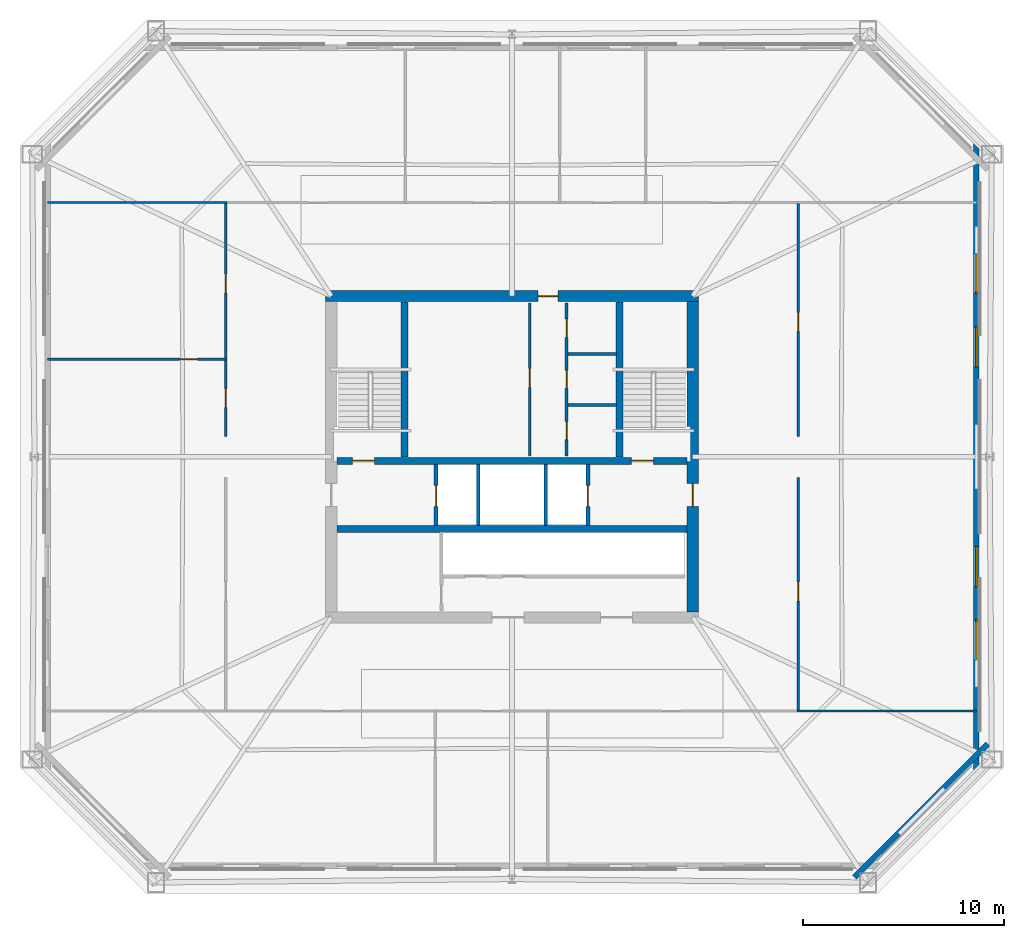
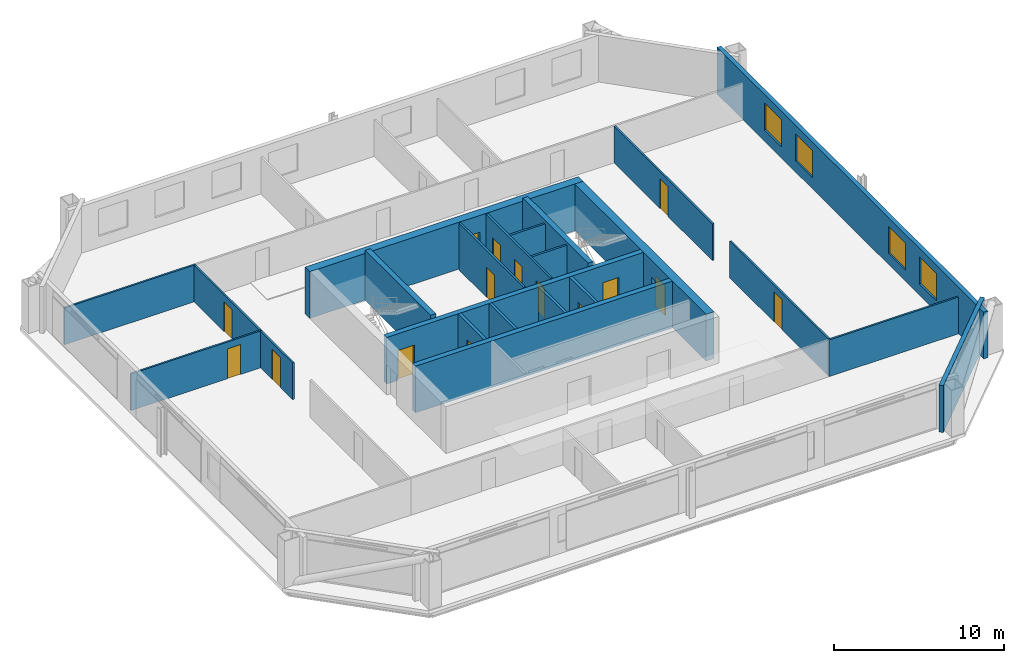
# One storey, part 3 of 6: 22 walls, 15 doors, 4 windows, 19 openings.
"""IFC4 building model written with IfcOpenShell, lengths in metres."""

from ifc_helpers import new_model, si_unit, direction, frame, frame_2d, origin, place, context, subcontext, project, spatial, rectangle, extrude, material, layer, layer_set, type_object, element, fill, save


model = new_model("IFC4")

# Units and contexts
model_context = context("Model", 3, precision=1e-05, world=origin(), true_north=direction((0.0, 1.0)))
body_context = subcontext(model_context, "Body", "Model", "MODEL_VIEW")
ifc_project = project(units=[si_unit("LENGTHUNIT", "METRE"), si_unit("AREAUNIT", "SQUARE_METRE"), si_unit("VOLUMEUNIT", "CUBIC_METRE"), si_unit("PLANEANGLEUNIT", "RADIAN"), si_unit("MASSUNIT", "GRAM", prefix="KILO")], contexts=[model_context])

# Site, building, storey
site_placement = place(None, origin())
site = spatial("IfcSite", under=ifc_project, at=site_placement, CompositionType="ELEMENT")
building_placement = place(site_placement, origin())
building = spatial("IfcBuilding", under=site, at=building_placement, Name="Caelvoria Tower", CompositionType="ELEMENT")
storey_placement = place(building_placement, frame((0.0, 0.0, 152.800048828125)))
storey = spatial("IfcBuildingStorey", under=building, at=storey_placement, Name="L40", CompositionType="ELEMENT", Elevation=152.800048828125)

# Wall, openings, doors
ifc_material_1 = material(Name="Concrete C50/60", Category="concrete")
ifc_layer_1 = layer(ifc_material_1, 0.35009765625, Name="Concrete C50/60")
ifc_layer_set_1 = layer_set([ifc_layer_1], Name="Core Internal Shear Wall 350 - Concrete C50/60")
wall_type_1 = type_object("IfcWallType", Name="Core Internal Shear Wall 350", PredefinedType="SHEAR", material=ifc_layer_set_1)
wall_1_placement = place(storey_placement, frame((37.27490234375, 31.800048828125, 0.0), z_axis=(0.0, 0.0, 1.0), x_axis=(1.0, 0.0, 0.0)))
wall_1 = element("IfcWall", 1, at=wall_1_placement, inside=storey, type_object=wall_type_1, Name="Core Shear Wall L40 M1", PredefinedType="SHEAR", context=body_context, shape_type="SweptSolid", body=[
    extrude(rectangle(XDim=17.4501953125, YDim=0.35009765625, at=frame_2d((8.72509765625, 0.0))), origin(), (0.0, 0.0, 1.0), 3.35986328125),
])
opening_1_placement = place(wall_1_placement, frame((0.77490234375, 0.0, 0.0)))
opening_1 = element("IfcOpeningElement", 2, at=opening_1_placement, cuts=wall_1, Name="Opening ID-01", PredefinedType="OPENING", context=body_context, shape_type="SweptSolid", body=[
    extrude(rectangle(XDim=1.10009765625, YDim=2.14990234375, at=frame_2d((0.550048828125, 1.074951171875))), frame((0.0, 0.18505859375, 0.0), z_axis=(0.0, -1.0, 0.0), x_axis=(1.0, 0.0, 0.0)), (0.0, 0.0, 1.0), 0.3701171875),
])
opening_2_placement = place(wall_1_placement, frame((14.675048828125, 0.0, 0.0)))
opening_2 = element("IfcOpeningElement", 3, at=opening_2_placement, cuts=wall_1, Name="Opening ID-01", PredefinedType="OPENING", context=body_context, shape_type="SweptSolid", body=[
    extrude(rectangle(XDim=1.10009765625, YDim=2.14990234375, at=frame_2d((0.550048828125, 1.074951171875))), frame((0.0, 0.18505859375, 0.0), z_axis=(0.0, -1.0, 0.0), x_axis=(1.0, 0.0, 0.0)), (0.0, 0.0, 1.0), 0.3701171875),
])
ifc_material_2 = material(Name="Painted Hollow Steel Fire Door", Category="steel")
door_type_1 = type_object("IfcDoorType", Name="Fire Door FD90S 1100x2150", OperationType="NOTDEFINED", PredefinedType="DOOR", material=ifc_material_2)
door_1_placement = place(opening_1_placement, origin())
door_1 = element("IfcDoor", 4, at=door_1_placement, inside=storey, type_object=door_type_1, Name="Core Door DR-L40-ST1", OperationType="SINGLE_SWING_LEFT", OverallHeight=2.14990234375, OverallWidth=1.10009765625, PredefinedType="DOOR", context=body_context, shape_type="SweptSolid", body=[
    extrude(rectangle(XDim=1.10009765625, YDim=2.14990234375, at=frame_2d((0.550048828125, 1.074951171875))), frame((0.0, 0.02490234375, 0.0), z_axis=(0.0, -1.0, 0.0), x_axis=(1.0, 0.0, 0.0)), (0.0, 0.0, 1.0), 0.050048828125),
])
fill(opening_1, door_1)
door_2_placement = place(opening_2_placement, origin())
door_2 = element("IfcDoor", 5, at=door_2_placement, inside=storey, type_object=door_type_1, Name="Core Door DR-L40-ST2", OperationType="SINGLE_SWING_RIGHT", OverallHeight=2.14990234375, OverallWidth=1.10009765625, PredefinedType="DOOR", context=body_context, shape_type="SweptSolid", body=[
    extrude(rectangle(XDim=1.10009765625, YDim=2.14990234375, at=frame_2d((0.550048828125, 1.074951171875))), frame((0.0, 0.02490234375, 0.0), z_axis=(0.0, -1.0, 0.0), x_axis=(1.0, 0.0, 0.0)), (0.0, 0.0, 1.0), 0.050048828125),
])
fill(opening_2, door_2)

# Walls
wall_2_placement = place(storey_placement, frame((37.27490234375, 28.39990234375, 0.0), z_axis=(0.0, 0.0, 1.0), x_axis=(1.0, 0.0, 0.0)))
element("IfcWall", 6, at=wall_2_placement, inside=storey, type_object=wall_type_1, Name="Core Shear Wall L40 M2", PredefinedType="SHEAR", context=body_context, shape_type="SweptSolid", body=[
    extrude(rectangle(XDim=17.4501953125, YDim=0.35009765625, at=frame_2d((8.72509765625, 0.0))), origin(), (0.0, 0.0, 1.0), 3.35986328125),
])
for number, where, z_axis, x_axis, name in (
    (7, (40.64990234375, 32.0, 0.0), (0.0, 0.0, 1.0), (0.0, 1.0, 0.0), "Interior Partition IW-L40-ST1E"),
    (8, (51.35009765625, 32.0, 0.0), (0.0, 0.0, 1.0), (0.0, 1.0, 0.0), "Interior Partition IW-L40-ST2W"),
):
    element("IfcWall", number, at=place(storey_placement, frame(where, z_axis=z_axis, x_axis=x_axis)), inside=storey, type_object=wall_type_1, Name=name, PredefinedType="SHEAR", context=body_context, shape_type="SweptSolid", body=[
        extrude(rectangle(XDim=7.699951171875, YDim=0.35009765625, at=frame_2d((3.85009765625, 0.0))), origin(), (0.0, 0.0, 1.0), 3.599853515625),
    ])

# Wall, opening, door
ifc_material_3 = material(Name="Moisture-Resistant Gypsum on Steel Stud", Category="steel")
ifc_layer_2 = layer(ifc_material_3, 0.139892578125, Name="Moisture-Resistant Gypsum on Steel Stud")
ifc_layer_set_2 = layer_set([ifc_layer_2], Name="Core Sanitary Acoustic Partition Wall 140 - Moisture-Resistant Gypsum on Steel Stud")
wall_type_2 = type_object("IfcWallType", Name="Core Sanitary Acoustic Partition Wall 140", PredefinedType="PARTITIONING", material=ifc_layer_set_2)
wall_3_placement = place(storey_placement, frame((46.8798828125, 32.050048828125, 0.0), z_axis=(0.0, 0.0, 1.0), x_axis=(0.0, 1.0, 0.0)))
wall_3 = element("IfcWall", 9, at=wall_3_placement, inside=storey, type_object=wall_type_2, Name="Interior Partition IW-L40-C2L", PredefinedType="PARTITIONING", context=body_context, shape_type="SweptSolid", body=[
    extrude(rectangle(XDim=7.599853515625, YDim=0.139892578125, at=frame_2d((3.7998046875, 0.0))), origin(), (0.0, 0.0, 1.0), 3.35986328125),
])
opening_3_placement = place(wall_3_placement, frame((3.39990234375, 0.0, 0.0)))
opening_3 = element("IfcOpeningElement", 10, at=opening_3_placement, cuts=wall_3, Name="Opening ID-05", PredefinedType="OPENING", context=body_context, shape_type="SweptSolid", body=[
    extrude(rectangle(XDim=0.949951171875, YDim=2.14990234375, at=frame_2d((0.47509765625, 1.074951171875))), frame((0.0, 0.079833984375, 0.0), z_axis=(0.0, -1.0, 0.0), x_axis=(1.0, 0.0, 0.0)), (0.0, 0.0, 1.0), 0.159912109375),
])
ifc_material_4 = material(Name="Engineered Andean Oak Veneer Door", Category="wood")
door_type_2 = type_object("IfcDoorType", Name="Interior Timber Door 950x2150", OperationType="NOTDEFINED", PredefinedType="DOOR", material=ifc_material_4)
door_3_placement = place(opening_3_placement, origin())
door_3 = element("IfcDoor", 11, at=door_3_placement, inside=storey, type_object=door_type_2, Name="Interior Door DR-L40-C2W", OperationType="SINGLE_SWING_LEFT", OverallHeight=2.14990234375, OverallWidth=0.949951171875, PredefinedType="DOOR", context=body_context, shape_type="SweptSolid", body=[
    extrude(rectangle(XDim=0.949951171875, YDim=2.14990234375, at=frame_2d((0.47509765625, 1.074951171875))), frame((0.0, 0.02490234375, 0.0), z_axis=(0.0, -1.0, 0.0), x_axis=(1.0, 0.0, 0.0)), (0.0, 0.0, 1.0), 0.050048828125),
])
fill(opening_3, door_3)

# Wall, openings, doors
wall_4_placement = place(storey_placement, frame((48.719970703125, 32.050048828125, 0.0), z_axis=(0.0, 0.0, 1.0), x_axis=(0.0, 1.0, 0.0)))
wall_4 = element("IfcWall", 12, at=wall_4_placement, inside=storey, type_object=wall_type_2, Name="Interior Partition IW-L40-C2R", PredefinedType="PARTITIONING", context=body_context, shape_type="SweptSolid", body=[
    extrude(rectangle(XDim=7.599853515625, YDim=0.139892578125, at=frame_2d((3.7998046875, 0.0))), origin(), (0.0, 0.0, 1.0), 3.35986328125),
])
opening_4_placement = place(wall_4_placement, frame((0.800048828125, 0.0, 0.0)))
opening_4 = element("IfcOpeningElement", 13, at=opening_4_placement, cuts=wall_4, Name="Opening ID-04", PredefinedType="OPENING", context=body_context, shape_type="SweptSolid", body=[
    extrude(rectangle(XDim=0.89990234375, YDim=2.14990234375, at=frame_2d((0.449951171875, 1.074951171875))), frame((0.0, 0.079833984375, 0.0), z_axis=(0.0, -1.0, 0.0), x_axis=(1.0, 0.0, 0.0)), (0.0, 0.0, 1.0), 0.159912109375),
])
opening_5_placement = place(wall_4_placement, frame((3.35009765625, 0.0, 0.0)))
opening_5 = element("IfcOpeningElement", 14, at=opening_5_placement, cuts=wall_4, Name="Opening ID-06", PredefinedType="OPENING", context=body_context, shape_type="SweptSolid", body=[
    extrude(rectangle(XDim=0.89990234375, YDim=2.14990234375, at=frame_2d((0.449951171875, 1.074951171875))), frame((0.0, 0.079833984375, 0.0), z_axis=(0.0, -1.0, 0.0), x_axis=(1.0, 0.0, 0.0)), (0.0, 0.0, 1.0), 0.159912109375),
])
opening_6_placement = place(wall_4_placement, frame((5.89990234375, 0.0, 0.0)))
opening_6 = element("IfcOpeningElement", 15, at=opening_6_placement, cuts=wall_4, Name="Opening ID-07", PredefinedType="OPENING", context=body_context, shape_type="SweptSolid", body=[
    extrude(rectangle(XDim=0.919921875, YDim=2.14990234375, at=frame_2d((0.4599609375, 1.074951171875))), frame((0.0, 0.079833984375, 0.0), z_axis=(0.0, -1.0, 0.0), x_axis=(1.0, 0.0, 0.0)), (0.0, 0.0, 1.0), 0.159912109375),
])
ifc_material_5 = material(Name="Engineered Andean Oak Accessible Door", Category="wood")
door_type_3 = type_object("IfcDoorType", Name="Accessible WC Door 950x2150", OperationType="NOTDEFINED", PredefinedType="DOOR", material=ifc_material_5)
door_4_placement = place(opening_6_placement, origin())
door_4 = element("IfcDoor", 16, at=door_4_placement, inside=storey, type_object=door_type_3, Name="Interior Door DR-L40-C2E3", OperationType="SINGLE_SWING_RIGHT", OverallHeight=2.14990234375, OverallWidth=0.919921875, PredefinedType="DOOR", context=body_context, shape_type="SweptSolid", body=[
    extrude(rectangle(XDim=0.919921875, YDim=2.14990234375, at=frame_2d((0.4599609375, 1.074951171875))), frame((0.0, 0.02490234375, 0.0), z_axis=(0.0, -1.0, 0.0), x_axis=(1.0, 0.0, 0.0)), (0.0, 0.0, 1.0), 0.050048828125),
])
fill(opening_6, door_4)
ifc_material_6 = material(Name="Acoustic Timber Fire Door", Category="wood")
door_type_4 = type_object("IfcDoorType", Name="Fire Door FD30S 900x2150", OperationType="NOTDEFINED", PredefinedType="DOOR", material=ifc_material_6)
door_5_placement = place(opening_4_placement, origin())
door_5 = element("IfcDoor", 17, at=door_5_placement, inside=storey, type_object=door_type_4, Name="Interior Door DR-L40-C2E1", OperationType="SINGLE_SWING_RIGHT", OverallHeight=2.14990234375, OverallWidth=0.89990234375, PredefinedType="DOOR", context=body_context, shape_type="SweptSolid", body=[
    extrude(rectangle(XDim=0.89990234375, YDim=2.14990234375, at=frame_2d((0.449951171875, 1.074951171875))), frame((0.0, 0.02490234375, 0.0), z_axis=(0.0, -1.0, 0.0), x_axis=(1.0, 0.0, 0.0)), (0.0, 0.0, 1.0), 0.050048828125),
])
fill(opening_4, door_5)
door_type_5 = type_object("IfcDoorType", Name="Interior Timber Door 900x2150", OperationType="NOTDEFINED", PredefinedType="DOOR", material=ifc_material_4)
door_6_placement = place(opening_5_placement, origin())
door_6 = element("IfcDoor", 18, at=door_6_placement, inside=storey, type_object=door_type_5, Name="Interior Door DR-L40-C2E2", OperationType="SINGLE_SWING_LEFT", OverallHeight=2.14990234375, OverallWidth=0.89990234375, PredefinedType="DOOR", context=body_context, shape_type="SweptSolid", body=[
    extrude(rectangle(XDim=0.89990234375, YDim=2.14990234375, at=frame_2d((0.449951171875, 1.074951171875))), frame((0.0, 0.02490234375, 0.0), z_axis=(0.0, -1.0, 0.0), x_axis=(1.0, 0.0, 0.0)), (0.0, 0.0, 1.0), 0.050048828125),
])
fill(opening_5, door_6)

# Walls
for number, where, z_axis, x_axis, name in (
    (19, (48.800048828125, 34.580078125, 0.0), (0.0, 0.0, 1.0), (1.0, 0.0, 0.0), "Interior Partition IW-L40-C2H1"),
    (20, (48.800048828125, 37.1201171875, 0.0), (0.0, 0.0, 1.0), (1.0, 0.0, 0.0), "Interior Partition IW-L40-C2H2"),
):
    element("IfcWall", number, at=place(storey_placement, frame(where, z_axis=z_axis, x_axis=x_axis)), inside=storey, type_object=wall_type_2, Name=name, PredefinedType="PARTITIONING", context=body_context, shape_type="SweptSolid", body=[
        extrude(rectangle(XDim=2.39990234375, YDim=0.139892578125, at=frame_2d((1.199951171875, 0.0))), origin(), (0.0, 0.0, 1.0), 3.35986328125),
    ])
ifc_material_7 = material(Name="Precast Concrete C40/50 with Bronze Cladding", Category="concrete")
ifc_layer_3 = layer(ifc_material_7, 0.280029296875, Name="Precast Concrete C40/50 with Bronze Cladding")
ifc_layer_set_3 = layer_set([ifc_layer_3], Name="Exterior Precast Concrete C40/50 Bronze-Clad Facade Wall 280 - Precast Concrete C40/50 with Bronze Cladding")
wall_type_3 = type_object("IfcWallType", Name="Exterior Precast Concrete C40/50 Bronze-Clad Facade Wall 280", PredefinedType="STANDARD", material=ifc_layer_set_3)
wall_5_placement = place(storey_placement, frame((63.054443359375, 11.05615234375, 0.0), z_axis=(0.0, 0.0, 1.0), x_axis=(0.707106781187, 0.707106781187, 0.0)))
element("IfcWall", 21, at=wall_5_placement, inside=storey, type_object=wall_type_3, Name="Exterior Facade Wall L40-E1", PredefinedType="STANDARD", context=body_context, shape_type="SweptSolid", body=[
    extrude(rectangle(XDim=9.3896484375, YDim=0.280029296875, at=frame_2d((4.69482421875, 0.0))), origin(), (0.0, 0.0, 1.0), 3.35986328125),
])

# Wall, openings, windows
wall_6_placement = place(storey_placement, frame((69.1201171875, 16.31005859375, 0.0), z_axis=(0.0, 0.0, 1.0), x_axis=(0.0, 1.0, 0.0)))
wall_6 = element("IfcWall", 22, at=wall_6_placement, inside=storey, type_object=wall_type_3, Name="Exterior Facade Wall L40-E2", PredefinedType="STANDARD", context=body_context, shape_type="SweptSolid", body=[
    extrude(rectangle(XDim=31.3798828125, YDim=0.280029296875, at=frame_2d((15.68994140625, 0.0))), origin(), (0.0, 0.0, 1.0), 3.35986328125),
])
opening_7_placement = place(wall_6_placement, frame((5.5712890625, 0.0, 0.800048828125)))
opening_7 = element("IfcOpeningElement", 23, at=opening_7_placement, cuts=wall_6, Name="Opening WN-01", PredefinedType="OPENING", context=body_context, shape_type="SweptSolid", body=[
    extrude(rectangle(XDim=2.0, YDim=1.949951171875, at=frame_2d((1.0, 0.97509765625))), frame((0.0, 0.14990234375, 0.0), z_axis=(0.0, -1.0, 0.0), x_axis=(1.0, 0.0, 0.0)), (0.0, 0.0, 1.0), 0.300048828125),
])
opening_8_placement = place(wall_6_placement, frame((9.21875, 0.0, 0.800048828125)))
opening_8 = element("IfcOpeningElement", 24, at=opening_8_placement, cuts=wall_6, Name="Opening WN-01", PredefinedType="OPENING", context=body_context, shape_type="SweptSolid", body=[
    extrude(rectangle(XDim=2.0, YDim=1.949951171875, at=frame_2d((1.0, 0.97509765625))), frame((0.0, 0.14990234375, 0.0), z_axis=(0.0, -1.0, 0.0), x_axis=(1.0, 0.0, 0.0)), (0.0, 0.0, 1.0), 0.300048828125),
])
opening_9_placement = place(wall_6_placement, frame((20.161376953125, 0.0, 0.800048828125)))
opening_9 = element("IfcOpeningElement", 25, at=opening_9_placement, cuts=wall_6, Name="Opening WN-01", PredefinedType="OPENING", context=body_context, shape_type="SweptSolid", body=[
    extrude(rectangle(XDim=2.0, YDim=1.949951171875, at=frame_2d((1.0, 0.97509765625))), frame((0.0, 0.14990234375, 0.0), z_axis=(0.0, -1.0, 0.0), x_axis=(1.0, 0.0, 0.0)), (0.0, 0.0, 1.0), 0.300048828125),
])
opening_10_placement = place(wall_6_placement, frame((23.80859375, 0.0, 0.800048828125)))
opening_10 = element("IfcOpeningElement", 26, at=opening_10_placement, cuts=wall_6, Name="Opening WN-01", PredefinedType="OPENING", context=body_context, shape_type="SweptSolid", body=[
    extrude(rectangle(XDim=2.0, YDim=1.949951171875, at=frame_2d((1.0, 0.97509765625))), frame((0.0, 0.14990234375, 0.0), z_axis=(0.0, -1.0, 0.0), x_axis=(1.0, 0.0, 0.0)), (0.0, 0.0, 1.0), 0.300048828125),
])
ifc_material_8 = material(Name="Low-E Tinted Glass in Bronze Aluminium Frame", Category="aluminium")
window_type = type_object("IfcWindowType", Name="Tower Office Vision Window 2000x1950", PartitioningType="SINGLE_PANEL", PredefinedType="WINDOW", material=ifc_material_8)
window_1_placement = place(opening_7_placement, origin())
window_1 = element("IfcWindow", 27, at=window_1_placement, inside=storey, type_object=window_type, Name="Facade Window L40-E2-01", OverallHeight=1.949951171875, OverallWidth=2.0, PartitioningType="SINGLE_PANEL", PredefinedType="WINDOW", context=body_context, shape_type="SweptSolid", body=[
    extrude(rectangle(XDim=2.0, YDim=1.949951171875, at=frame_2d((1.0, 0.97509765625))), frame((0.0, 0.030029296875, 0.0), z_axis=(0.0, -1.0, 0.0), x_axis=(1.0, 0.0, 0.0)), (0.0, 0.0, 1.0), 0.06005859375),
])
fill(opening_7, window_1)
window_2_placement = place(opening_8_placement, origin())
window_2 = element("IfcWindow", 28, at=window_2_placement, inside=storey, type_object=window_type, Name="Facade Window L40-E2-02", OverallHeight=1.949951171875, OverallWidth=2.0, PartitioningType="SINGLE_PANEL", PredefinedType="WINDOW", context=body_context, shape_type="SweptSolid", body=[
    extrude(rectangle(XDim=2.0, YDim=1.949951171875, at=frame_2d((1.0, 0.97509765625))), frame((0.0, 0.030029296875, 0.0), z_axis=(0.0, -1.0, 0.0), x_axis=(1.0, 0.0, 0.0)), (0.0, 0.0, 1.0), 0.06005859375),
])
fill(opening_8, window_2)
window_3_placement = place(opening_9_placement, origin())
window_3 = element("IfcWindow", 29, at=window_3_placement, inside=storey, type_object=window_type, Name="Facade Window L40-E2-05", OverallHeight=1.949951171875, OverallWidth=2.0, PartitioningType="SINGLE_PANEL", PredefinedType="WINDOW", context=body_context, shape_type="SweptSolid", body=[
    extrude(rectangle(XDim=2.0, YDim=1.949951171875, at=frame_2d((1.0, 0.97509765625))), frame((0.0, 0.030029296875, 0.0), z_axis=(0.0, -1.0, 0.0), x_axis=(1.0, 0.0, 0.0)), (0.0, 0.0, 1.0), 0.06005859375),
])
fill(opening_9, window_3)
window_4_placement = place(opening_10_placement, origin())
window_4 = element("IfcWindow", 30, at=window_4_placement, inside=storey, type_object=window_type, Name="Facade Window L40-E2-06", OverallHeight=1.949951171875, OverallWidth=2.0, PartitioningType="SINGLE_PANEL", PredefinedType="WINDOW", context=body_context, shape_type="SweptSolid", body=[
    extrude(rectangle(XDim=2.0, YDim=1.949951171875, at=frame_2d((1.0, 0.97509765625))), frame((0.0, 0.030029296875, 0.0), z_axis=(0.0, -1.0, 0.0), x_axis=(1.0, 0.0, 0.0)), (0.0, 0.0, 1.0), 0.06005859375),
])
fill(opening_10, window_4)

# Walls
ifc_material_9 = material(Name="Concrete Block and Fireboard Assembly", Category="concrete")
ifc_layer_4 = layer(ifc_material_9, 0.179931640625, Name="Concrete Block and Fireboard Assembly")
ifc_layer_set_4 = layer_set([ifc_layer_4], Name="Fire-Rated Hoistway Partition Wall 180 - Concrete Block and Fireboard Assembly")
wall_type_4 = type_object("IfcWallType", Name="Fire-Rated Hoistway Partition Wall 180", PredefinedType="PARTITIONING", material=ifc_layer_set_4)
for number, where, z_axis, x_axis, name in (
    (31, (44.320068359375, 28.580078125, 0.0), (0.0, 0.0, 1.0), (0.0, 1.0, 0.0), "Interior Partition IW-L40-SV1W"),
    (32, (47.679931640625, 28.580078125, 0.0), (0.0, 0.0, 1.0), (0.0, 1.0, 0.0), "Interior Partition IW-L40-SV1E"),
):
    element("IfcWall", number, at=place(storey_placement, frame(where, z_axis=z_axis, x_axis=x_axis)), inside=storey, type_object=wall_type_4, Name=name, PredefinedType="PARTITIONING", context=body_context, shape_type="SweptSolid", body=[
        extrude(rectangle(XDim=3.0400390625, YDim=0.179931640625, at=frame_2d((1.52001953125, 0.0))), origin(), (0.0, 0.0, 1.0), 3.35986328125),
    ])

# Wall, opening, door
ifc_layer_5 = layer(ifc_material_9, 0.199951171875, Name="Concrete Block and Fireboard Assembly")
ifc_layer_set_5 = layer_set([ifc_layer_5], Name="Fire-Rated Shaft and Core Partition Wall 200 - Concrete Block and Fireboard Assembly")
wall_type_5 = type_object("IfcWallType", Name="Fire-Rated Shaft and Core Partition Wall 200", PredefinedType="PARTITIONING", material=ifc_layer_set_5)
wall_7_placement = place(storey_placement, frame((42.219970703125, 28.580078125, 0.0), z_axis=(0.0, 0.0, 1.0), x_axis=(0.0, 1.0, 0.0)))
wall_7 = element("IfcWall", 33, at=wall_7_placement, inside=storey, type_object=wall_type_5, Name="Interior Partition IW-L40-LF1W", PredefinedType="PARTITIONING", context=body_context, shape_type="SweptSolid", body=[
    extrude(rectangle(XDim=3.0400390625, YDim=0.199951171875, at=frame_2d((1.52001953125, 0.0))), origin(), (0.0, 0.0, 1.0), 3.35986328125),
])
opening_11_placement = place(wall_7_placement, frame((0.949951171875, 0.0, 0.0)))
opening_11 = element("IfcOpeningElement", 34, at=opening_11_placement, cuts=wall_7, Name="Opening LD-01", PredefinedType="OPENING", context=body_context, shape_type="SweptSolid", body=[
    extrude(rectangle(XDim=1.050048828125, YDim=2.14990234375, at=frame_2d((0.52490234375, 1.074951171875))), frame((0.0, 0.10986328125, 0.0), z_axis=(0.0, -1.0, 0.0), x_axis=(1.0, 0.0, 0.0)), (0.0, 0.0, 1.0), 0.219970703125),
])
ifc_material_10 = material(Name="Brushed Bronze Stainless Sliding Landing Door", Category="aluminium")
door_type_6 = type_object("IfcDoorType", Name="Lift Landing Sliding Door 1100x2150", OperationType="NOTDEFINED", PredefinedType="DOOR", material=ifc_material_10)
door_7_placement = place(opening_11_placement, origin())
door_7 = element("IfcDoor", 35, at=door_7_placement, inside=storey, type_object=door_type_6, Name="Interior Door LD-L40-LF1", OperationType="SLIDING_TO_LEFT", OverallHeight=2.14990234375, OverallWidth=1.050048828125, PredefinedType="DOOR", context=body_context, shape_type="SweptSolid", body=[
    extrude(rectangle(XDim=1.050048828125, YDim=2.14990234375, at=frame_2d((0.52490234375, 1.074951171875))), frame((0.0, 0.02490234375, 0.0), z_axis=(0.0, -1.0, 0.0), x_axis=(1.0, 0.0, 0.0)), (0.0, 0.0, 1.0), 0.050048828125),
])
fill(opening_11, door_7)

wall_8_placement = place(storey_placement, frame((49.780029296875, 28.580078125, 0.0), z_axis=(0.0, 0.0, 1.0), x_axis=(0.0, 1.0, 0.0)))
wall_8 = element("IfcWall", 36, at=wall_8_placement, inside=storey, type_object=wall_type_5, Name="Interior Partition IW-L40-LF2E", PredefinedType="PARTITIONING", context=body_context, shape_type="SweptSolid", body=[
    extrude(rectangle(XDim=3.0400390625, YDim=0.199951171875, at=frame_2d((1.52001953125, 0.0))), origin(), (0.0, 0.0, 1.0), 3.35986328125),
])
opening_12_placement = place(wall_8_placement, frame((0.949951171875, 0.0, 0.0)))
opening_12 = element("IfcOpeningElement", 37, at=opening_12_placement, cuts=wall_8, Name="Opening LD-01", PredefinedType="OPENING", context=body_context, shape_type="SweptSolid", body=[
    extrude(rectangle(XDim=1.050048828125, YDim=2.14990234375, at=frame_2d((0.52490234375, 1.074951171875))), frame((0.0, 0.10986328125, 0.0), z_axis=(0.0, -1.0, 0.0), x_axis=(1.0, 0.0, 0.0)), (0.0, 0.0, 1.0), 0.219970703125),
])
door_8_placement = place(opening_12_placement, origin())
door_8 = element("IfcDoor", 38, at=door_8_placement, inside=storey, type_object=door_type_6, Name="Interior Door LD-L40-LF2", OperationType="SLIDING_TO_RIGHT", OverallHeight=2.14990234375, OverallWidth=1.050048828125, PredefinedType="DOOR", context=body_context, shape_type="SweptSolid", body=[
    extrude(rectangle(XDim=1.050048828125, YDim=2.14990234375, at=frame_2d((0.52490234375, 1.074951171875))), frame((0.0, 0.02490234375, 0.0), z_axis=(0.0, -1.0, 0.0), x_axis=(1.0, 0.0, 0.0)), (0.0, 0.0, 1.0), 0.050048828125),
])
fill(opening_12, door_8)

ifc_material_11 = material(Name="Concrete C55/67", Category="concrete")
ifc_layer_6 = layer(ifc_material_11, 0.550048828125, Name="Concrete C55/67")
ifc_layer_set_6 = layer_set([ifc_layer_6], Name="Mid Core Shear Wall 550 - Concrete C55/67")
wall_type_6 = type_object("IfcWallType", Name="Mid Core Shear Wall 550", PredefinedType="SHEAR", material=ifc_layer_set_6)
wall_9_placement = place(storey_placement, frame((36.72509765625, 40.0, 0.0), z_axis=(0.0, 0.0, 1.0), x_axis=(1.0, 0.0, 0.0)))
wall_9 = element("IfcWall", 39, at=wall_9_placement, inside=storey, type_object=wall_type_6, Name="Core Shear Wall L40 N", PredefinedType="SHEAR", context=body_context, shape_type="SweptSolid", body=[
    extrude(rectangle(XDim=18.5498046875, YDim=0.550048828125, at=frame_2d((9.27490234375, 0.0))), origin(), (0.0, 0.0, 1.0), 3.35986328125),
])
opening_13_placement = place(wall_9_placement, frame((10.574951171875, 0.0, 0.0)))
opening_13 = element("IfcOpeningElement", 40, at=opening_13_placement, cuts=wall_9, Name="Opening ID-03", PredefinedType="OPENING", context=body_context, shape_type="SweptSolid", body=[
    extrude(rectangle(XDim=1.0, YDim=2.14990234375, at=frame_2d((0.5, 1.074951171875))), frame((0.0, 0.284912109375, 0.0), z_axis=(0.0, -1.0, 0.0), x_axis=(1.0, 0.0, 0.0)), (0.0, 0.0, 1.0), 0.570068359375),
])
door_type_7 = type_object("IfcDoorType", Name="Fire Door FD60S 1000x2150", OperationType="NOTDEFINED", PredefinedType="DOOR", material=ifc_material_2)
door_9_placement = place(opening_13_placement, origin())
door_9 = element("IfcDoor", 41, at=door_9_placement, inside=storey, type_object=door_type_7, Name="Core Door DR-L40-WC-MAIN", OperationType="SINGLE_SWING_RIGHT", OverallHeight=2.14990234375, OverallWidth=1.0, PredefinedType="DOOR", context=body_context, shape_type="SweptSolid", body=[
    extrude(rectangle(XDim=1.0, YDim=2.14990234375, at=frame_2d((0.5, 1.074951171875))), frame((0.0, 0.02490234375, 0.0), z_axis=(0.0, -1.0, 0.0), x_axis=(1.0, 0.0, 0.0)), (0.0, 0.0, 1.0), 0.050048828125),
])
fill(opening_13, door_9)

wall_10_placement = place(storey_placement, frame((55.0, 24.27490234375, 0.0), z_axis=(0.0, 0.0, 1.0), x_axis=(0.0, 1.0, 0.0)))
wall_10 = element("IfcWall", 42, at=wall_10_placement, inside=storey, type_object=wall_type_6, Name="Core Shear Wall L40 E", PredefinedType="SHEAR", context=body_context, shape_type="SweptSolid", body=[
    extrude(rectangle(XDim=15.4501953125, YDim=0.550048828125, at=frame_2d((7.72509765625, 0.0))), origin(), (0.0, 0.0, 1.0), 3.35986328125),
])
opening_14_placement = place(wall_10_placement, frame((5.25, 0.0, 0.0)))
opening_14 = element("IfcOpeningElement", 43, at=opening_14_placement, cuts=wall_10, Name="Opening ID-02", PredefinedType="OPENING", context=body_context, shape_type="SweptSolid", body=[
    extrude(rectangle(XDim=1.14990234375, YDim=2.14990234375, at=frame_2d((0.574951171875, 1.074951171875))), frame((0.0, 0.284912109375, 0.0), z_axis=(0.0, -1.0, 0.0), x_axis=(1.0, 0.0, 0.0)), (0.0, 0.0, 1.0), 0.570068359375),
])
door_type_8 = type_object("IfcDoorType", Name="Fire Door FD60S 1150x2150", OperationType="NOTDEFINED", PredefinedType="DOOR", material=ifc_material_2)
door_10_placement = place(opening_14_placement, origin())
door_10 = element("IfcDoor", 44, at=door_10_placement, inside=storey, type_object=door_type_8, Name="Core Door DR-L40-FFLE-OUT", OperationType="SINGLE_SWING_RIGHT", OverallHeight=2.14990234375, OverallWidth=1.14990234375, PredefinedType="DOOR", context=body_context, shape_type="SweptSolid", body=[
    extrude(rectangle(XDim=1.14990234375, YDim=2.14990234375, at=frame_2d((0.574951171875, 1.074951171875))), frame((0.0, 0.02490234375, 0.0), z_axis=(0.0, -1.0, 0.0), x_axis=(1.0, 0.0, 0.0)), (0.0, 0.0, 1.0), 0.050048828125),
])
fill(opening_14, door_10)

ifc_material_12 = material(Name="Acoustic Gypsum Board on Light-Gauge Stud", Category="gypsum")
ifc_layer_7 = layer(ifc_material_12, 0.1201171875, Name="Acoustic Gypsum Board on Light-Gauge Stud")
ifc_layer_set_7 = layer_set([ifc_layer_7], Name="Tenant Suite Acoustic Partition Wall 120 - Acoustic Gypsum Board on Light-Gauge Stud")
wall_type_7 = type_object("IfcWallType", Name="Tenant Suite Acoustic Partition Wall 120", PredefinedType="PARTITIONING", material=ifc_layer_set_7)
wall_11_placement = place(storey_placement, frame((31.739990234375, 36.85009765625, 0.0), z_axis=(0.0, 0.0, 1.0), x_axis=(-1.0, 0.0, 0.0)))
wall_11 = element("IfcWall", 45, at=wall_11_placement, inside=storey, type_object=wall_type_7, Name="Interior Partition IW-L40-WD-00-0", PredefinedType="PARTITIONING", context=body_context, shape_type="SweptSolid", body=[
    extrude(rectangle(XDim=8.860107421875, YDim=0.1201171875, at=frame_2d((4.43017578125, 0.0))), origin(), (0.0, 0.0, 1.0), 2.639892578125),
])
opening_15_placement = place(wall_11_placement, frame((1.39990234375, 0.0, 0.0)))
opening_15 = element("IfcOpeningElement", 46, at=opening_15_placement, cuts=wall_11, Name="Opening ID-06", PredefinedType="OPENING", context=body_context, shape_type="SweptSolid", body=[
    extrude(rectangle(XDim=0.89990234375, YDim=2.14990234375, at=frame_2d((0.449951171875, 1.074951171875))), frame((0.0, 0.070068359375, 0.0), z_axis=(0.0, -1.0, 0.0), x_axis=(1.0, 0.0, 0.0)), (0.0, 0.0, 1.0), 0.14013671875),
])
door_11_placement = place(opening_15_placement, origin())
door_11 = element("IfcDoor", 47, at=door_11_placement, inside=storey, type_object=door_type_5, Name="Interior Door DR-L40-WM-00-0", OperationType="SINGLE_SWING_RIGHT", OverallHeight=2.14990234375, OverallWidth=0.89990234375, PredefinedType="DOOR", context=body_context, shape_type="SweptSolid", body=[
    extrude(rectangle(XDim=0.89990234375, YDim=2.14990234375, at=frame_2d((0.449951171875, 1.074951171875))), frame((0.0, 0.02490234375, 0.0), z_axis=(0.0, -1.0, 0.0), x_axis=(1.0, 0.0, 0.0)), (0.0, 0.0, 1.0), 0.050048828125),
])
fill(opening_15, door_11)

# Wall, openings, doors
wall_12_placement = place(storey_placement, frame((31.739990234375, 33.02001953125, 0.0), z_axis=(0.0, 0.0, 1.0), x_axis=(0.0, 1.0, 0.0)))
wall_12 = element("IfcWall", 48, at=wall_12_placement, inside=storey, type_object=wall_type_7, Name="Interior Partition IW-L40-WCW-1", PredefinedType="PARTITIONING", context=body_context, shape_type="SweptSolid", body=[
    extrude(rectangle(XDim=11.580078125, YDim=0.1201171875, at=frame_2d((5.7900390625, 0.0))), origin(), (0.0, 0.0, 1.0), 2.639892578125),
])
opening_16_placement = place(wall_12_placement, frame((1.43994140625, 0.0, 0.0)))
opening_16 = element("IfcOpeningElement", 49, at=opening_16_placement, cuts=wall_12, Name="Opening ID-05", PredefinedType="OPENING", context=body_context, shape_type="SweptSolid", body=[
    extrude(rectangle(XDim=0.949951171875, YDim=2.14990234375, at=frame_2d((0.47509765625, 1.074951171875))), frame((0.0, 0.070068359375, 0.0), z_axis=(0.0, -1.0, 0.0), x_axis=(1.0, 0.0, 0.0)), (0.0, 0.0, 1.0), 0.14013671875),
])
opening_17_placement = place(wall_12_placement, frame((7.130126953125, 0.0, 0.0)))
opening_17 = element("IfcOpeningElement", 50, at=opening_17_placement, cuts=wall_12, Name="Opening ID-05", PredefinedType="OPENING", context=body_context, shape_type="SweptSolid", body=[
    extrude(rectangle(XDim=0.949951171875, YDim=2.14990234375, at=frame_2d((0.47509765625, 1.074951171875))), frame((0.0, 0.070068359375, 0.0), z_axis=(0.0, -1.0, 0.0), x_axis=(1.0, 0.0, 0.0)), (0.0, 0.0, 1.0), 0.14013671875),
])
door_12_placement = place(opening_16_placement, origin())
door_12 = element("IfcDoor", 51, at=door_12_placement, inside=storey, type_object=door_type_2, Name="Interior Door DR-L40-WC-00-0", OperationType="SINGLE_SWING_LEFT", OverallHeight=2.14990234375, OverallWidth=0.949951171875, PredefinedType="DOOR", context=body_context, shape_type="SweptSolid", body=[
    extrude(rectangle(XDim=0.949951171875, YDim=2.14990234375, at=frame_2d((0.47509765625, 1.074951171875))), frame((0.0, 0.02490234375, 0.0), z_axis=(0.0, -1.0, 0.0), x_axis=(1.0, 0.0, 0.0)), (0.0, 0.0, 1.0), 0.050048828125),
])
fill(opening_16, door_12)
door_13_placement = place(opening_17_placement, origin())
door_13 = element("IfcDoor", 52, at=door_13_placement, inside=storey, type_object=door_type_2, Name="Interior Door DR-L40-WC-01-0", OperationType="SINGLE_SWING_RIGHT", OverallHeight=2.14990234375, OverallWidth=0.949951171875, PredefinedType="DOOR", context=body_context, shape_type="SweptSolid", body=[
    extrude(rectangle(XDim=0.949951171875, YDim=2.14990234375, at=frame_2d((0.47509765625, 1.074951171875))), frame((0.0, 0.02490234375, 0.0), z_axis=(0.0, -1.0, 0.0), x_axis=(1.0, 0.0, 0.0)), (0.0, 0.0, 1.0), 0.050048828125),
])
fill(opening_17, door_13)

# Wall, opening, door
wall_13_placement = place(storey_placement, frame((60.260009765625, 19.39990234375, 0.0), z_axis=(0.0, 0.0, 1.0), x_axis=(0.0, 1.0, 0.0)))
wall_13 = element("IfcWall", 53, at=wall_13_placement, inside=storey, type_object=wall_type_7, Name="Interior Partition IW-L40-ECW-0", PredefinedType="PARTITIONING", context=body_context, shape_type="SweptSolid", body=[
    extrude(rectangle(XDim=11.580078125, YDim=0.1201171875, at=frame_2d((5.7900390625, 0.0))), origin(), (0.0, 0.0, 1.0), 2.639892578125),
])
opening_18_placement = place(wall_13_placement, frame((5.4150390625, 0.0, 0.0)))
opening_18 = element("IfcOpeningElement", 54, at=opening_18_placement, cuts=wall_13, Name="Opening ID-05", PredefinedType="OPENING", context=body_context, shape_type="SweptSolid", body=[
    extrude(rectangle(XDim=0.949951171875, YDim=2.14990234375, at=frame_2d((0.47509765625, 1.074951171875))), frame((0.0, 0.070068359375, 0.0), z_axis=(0.0, -1.0, 0.0), x_axis=(1.0, 0.0, 0.0)), (0.0, 0.0, 1.0), 0.14013671875),
])
door_14_placement = place(opening_18_placement, origin())
door_14 = element("IfcDoor", 55, at=door_14_placement, inside=storey, type_object=door_type_2, Name="Interior Door DR-L40-EC-00-1", OperationType="SINGLE_SWING_RIGHT", OverallHeight=2.14990234375, OverallWidth=0.949951171875, PredefinedType="DOOR", context=body_context, shape_type="SweptSolid", body=[
    extrude(rectangle(XDim=0.949951171875, YDim=2.14990234375, at=frame_2d((0.47509765625, 1.074951171875))), frame((0.0, 0.02490234375, 0.0), z_axis=(0.0, -1.0, 0.0), x_axis=(1.0, 0.0, 0.0)), (0.0, 0.0, 1.0), 0.050048828125),
])
fill(opening_18, door_14)

wall_14_placement = place(storey_placement, frame((60.260009765625, 33.02001953125, 0.0), z_axis=(0.0, 0.0, 1.0), x_axis=(0.0, 1.0, 0.0)))
wall_14 = element("IfcWall", 56, at=wall_14_placement, inside=storey, type_object=wall_type_7, Name="Interior Partition IW-L40-ECW-1", PredefinedType="PARTITIONING", context=body_context, shape_type="SweptSolid", body=[
    extrude(rectangle(XDim=11.580078125, YDim=0.1201171875, at=frame_2d((5.7900390625, 0.0))), origin(), (0.0, 0.0, 1.0), 2.639892578125),
])
opening_19_placement = place(wall_14_placement, frame((5.215087890625, 0.0, 0.0)))
opening_19 = element("IfcOpeningElement", 57, at=opening_19_placement, cuts=wall_14, Name="Opening ID-05", PredefinedType="OPENING", context=body_context, shape_type="SweptSolid", body=[
    extrude(rectangle(XDim=0.949951171875, YDim=2.14990234375, at=frame_2d((0.47509765625, 1.074951171875))), frame((0.0, 0.070068359375, 0.0), z_axis=(0.0, -1.0, 0.0), x_axis=(1.0, 0.0, 0.0)), (0.0, 0.0, 1.0), 0.14013671875),
])
door_15_placement = place(opening_19_placement, origin())
door_15 = element("IfcDoor", 58, at=door_15_placement, inside=storey, type_object=door_type_2, Name="Interior Door DR-L40-EC-00-0", OperationType="SINGLE_SWING_LEFT", OverallHeight=2.14990234375, OverallWidth=0.949951171875, PredefinedType="DOOR", context=body_context, shape_type="SweptSolid", body=[
    extrude(rectangle(XDim=0.949951171875, YDim=2.14990234375, at=frame_2d((0.47509765625, 1.074951171875))), frame((0.0, 0.02490234375, 0.0), z_axis=(0.0, -1.0, 0.0), x_axis=(1.0, 0.0, 0.0)), (0.0, 0.0, 1.0), 0.050048828125),
])
fill(opening_19, door_15)

# Walls
for number, where, z_axis, x_axis, name in (
    (59, (60.199951171875, 19.340087890625, 0.0), (0.0, 0.0, 1.0), (1.0, 0.0, 0.0), "Interior Partition IW-L40-BSE-0"),
    (60, (31.800048828125, 44.659912109375, 0.0), (0.0, 0.0, 1.0), (-1.0, 0.0, 0.0), "Interior Partition IW-L40-BNW-0"),
):
    element("IfcWall", number, at=place(storey_placement, frame(where, z_axis=z_axis, x_axis=x_axis)), inside=storey, type_object=wall_type_7, Name=name, PredefinedType="PARTITIONING", context=body_context, shape_type="SweptSolid", body=[
        extrude(rectangle(XDim=8.920166015625, YDim=0.1201171875, at=frame_2d((4.4599609375, 0.0))), origin(), (0.0, 0.0, 1.0), 2.639892578125),
    ])

save(model, "model.ifc")
